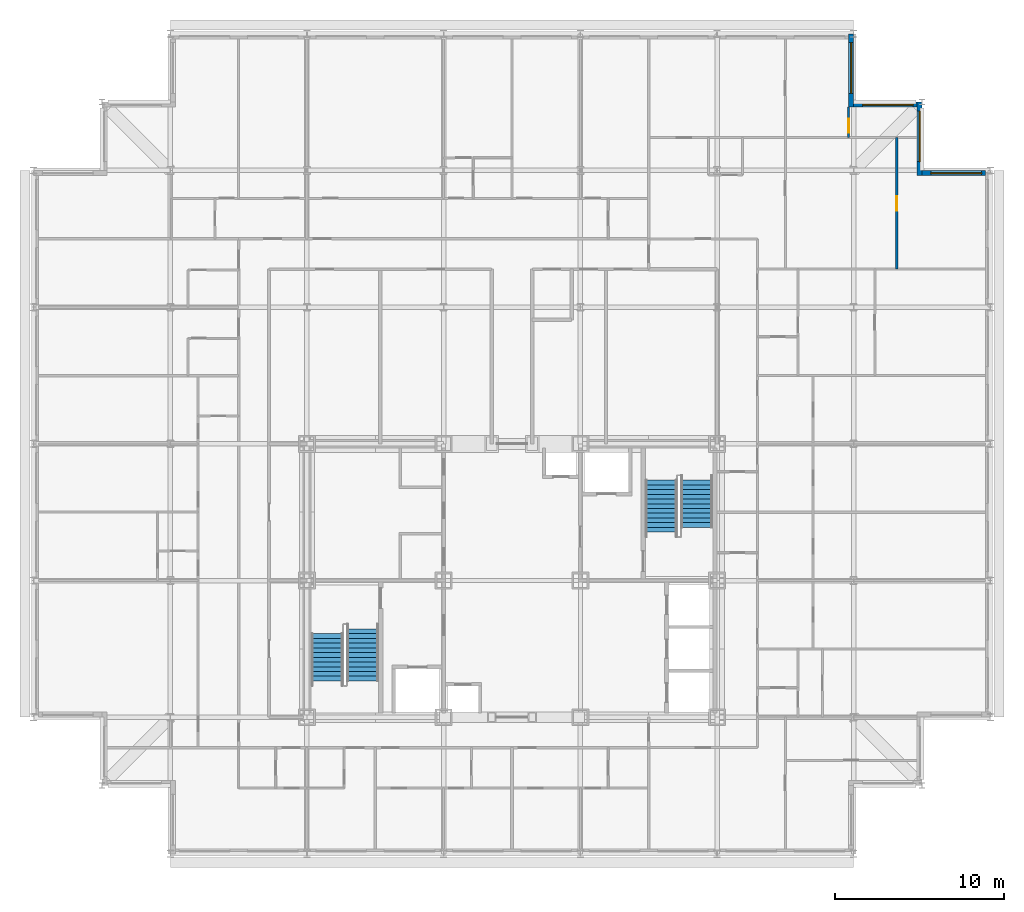
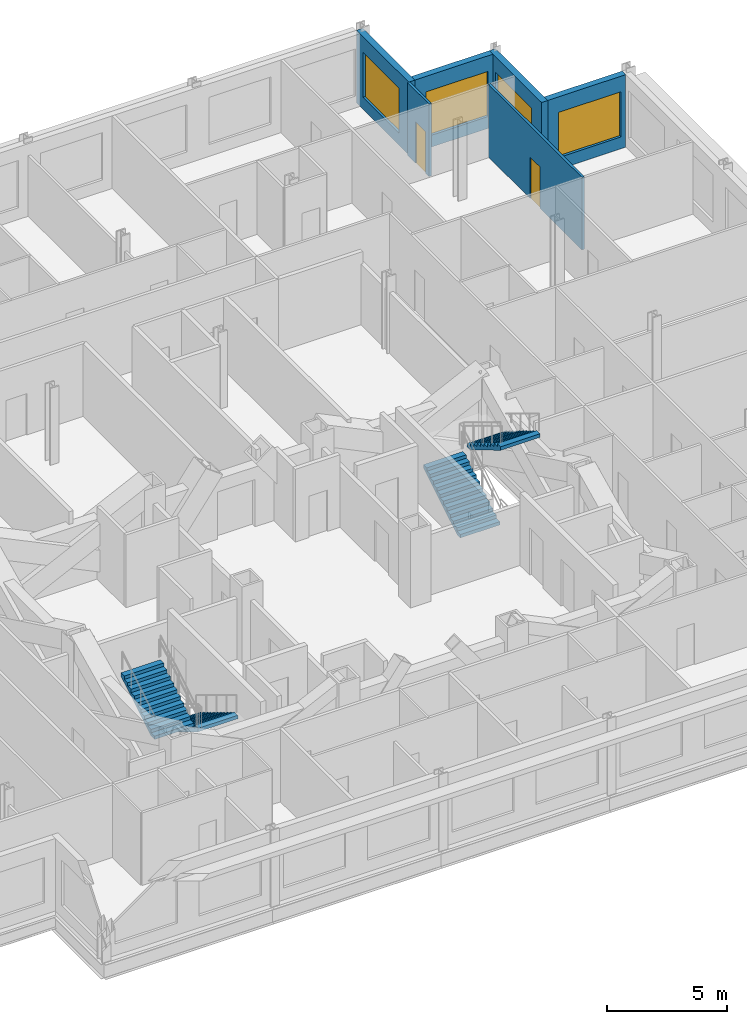
# One storey, part 14 of 15: 6 walls, 4 stair flights, 4 windows, 2 doors, 6 openings, 2 elements without a shape of their own.
"""IFC4 building model written with IfcOpenShell, lengths in metres."""

from ifc_helpers import new_model, si_unit, direction, frame, frame_2d, origin, place, context, subcontext, project, spatial, rectangle, extrude, polygons, source, transform, mapped, material, layer, layer_set, type_object, element, fill, aggregate, save


model = new_model("IFC4")

# Units and contexts
model_context = context("Model", 3, precision=1e-05, world=origin(), true_north=direction((0.0, 1.0)))
body_context = subcontext(model_context, "Body", "Model", "MODEL_VIEW")
ifc_project = project(units=[si_unit("LENGTHUNIT", "METRE"), si_unit("AREAUNIT", "SQUARE_METRE"), si_unit("VOLUMEUNIT", "CUBIC_METRE"), si_unit("PLANEANGLEUNIT", "RADIAN"), si_unit("MASSUNIT", "GRAM", prefix="KILO")], contexts=[model_context])

# Site, building, storey
site_placement = place(None, origin())
site = spatial("IfcSite", under=ifc_project, at=site_placement, CompositionType="ELEMENT")
building_placement = place(site_placement, origin())
building = spatial("IfcBuilding", under=site, at=building_placement, Name="Kopane Lantern Tower", CompositionType="ELEMENT")
storey_placement = place(building_placement, frame((0.0, 0.0, 246.300048828125)))
storey = spatial("IfcBuildingStorey", under=building, at=storey_placement, Name="L63", CompositionType="ELEMENT", Elevation=246.300048828125)

# Wall, opening, door
ifc_material_1 = material(Name="Gypsum board on steel studs", Category="steel")
ifc_layer_1 = layer(ifc_material_1, 0.1201171875)
ifc_layer_set_1 = layer_set([ifc_layer_1], Name="APARTMENT INTERNAL WALL 120")
wall_type_1 = type_object("IfcWallType", Name="APARTMENT INTERNAL WALL 120", PredefinedType="PARTITIONING", material=ifc_layer_set_1)
wall_1_placement = place(storey_placement, frame((48.300048828125, 58.64990234375, 0.0), z_axis=(0.0, 0.0, 1.0), x_axis=(0.0, 1.0, 0.0)))
wall_1 = element("IfcWall", 1, at=wall_1_placement, inside=storey, type_object=wall_type_1, Name="Apartment Internal Wall 120 L63", PredefinedType="PARTITIONING", context=body_context, shape_type="SweptSolid", body=[
    extrude(rectangle(XDim=1.800048828125, YDim=0.1201171875, at=frame_2d((0.89990234375, 0.0))), origin(), (0.0, 0.0, 1.0), 3.68994140625),
])
opening_1_placement = place(wall_1_placement, frame((0.27490234375, 0.0, 0.0)))
opening_1 = element("IfcOpeningElement", 2, at=opening_1_placement, cuts=wall_1, Name="Opening L63-064", PredefinedType="OPENING", context=body_context, shape_type="SweptSolid", body=[
    extrude(rectangle(XDim=0.85009765625, YDim=2.10009765625, at=frame_2d((0.425048828125, 1.050048828125))), frame((0.0, 0.070068359375, 0.0), z_axis=(0.0, -1.0, 0.0), x_axis=(1.0, 0.0, 0.0)), (0.0, 0.0, 1.0), 0.14013671875),
])
ifc_material_2 = material(Name="Timber door set", Category="wood")
door_type = type_object("IfcDoorType", Name="DOOR D4 850x2100", OperationType="SINGLE_SWING_LEFT", PredefinedType="DOOR", material=ifc_material_2)
door_1_placement = place(opening_1_placement, origin())
door_1 = element("IfcDoor", 3, at=door_1_placement, inside=storey, type_object=door_type, Name="Door L63-064", OperationType="SINGLE_SWING_RIGHT", OverallHeight=2.10009765625, OverallWidth=0.85009765625, PredefinedType="DOOR", context=body_context, shape_type="SweptSolid", body=[
    extrude(rectangle(XDim=0.85009765625, YDim=2.10009765625, at=frame_2d((0.425048828125, 1.050048828125))), frame((0.0, 0.02490234375, 0.0), z_axis=(0.0, -1.0, 0.0), x_axis=(1.0, 0.0, 0.0)), (0.0, 0.0, 1.0), 0.050048828125),
])
fill(opening_1, door_1)

wall_2_placement = place(storey_placement, frame((51.14990234375, 50.85009765625, 0.0), z_axis=(0.0, 0.0, 1.0), x_axis=(0.0, 1.0, 0.0)))
wall_2 = element("IfcWall", 4, at=wall_2_placement, inside=storey, type_object=wall_type_1, Name="Apartment Internal Wall 120 L63", PredefinedType="PARTITIONING", context=body_context, shape_type="SweptSolid", body=[
    extrude(rectangle(XDim=7.7998046875, YDim=0.1201171875, at=frame_2d((3.89990234375, 0.0))), origin(), (0.0, 0.0, 1.0), 3.68994140625),
])
opening_2_placement = place(wall_2_placement, frame((3.47509765625, 0.0, 0.0)))
opening_2 = element("IfcOpeningElement", 5, at=opening_2_placement, cuts=wall_2, Name="Opening L63-070", PredefinedType="OPENING", context=body_context, shape_type="SweptSolid", body=[
    extrude(rectangle(XDim=0.85009765625, YDim=2.10009765625, at=frame_2d((0.425048828125, 1.050048828125))), frame((0.0, 0.070068359375, 0.0), z_axis=(0.0, -1.0, 0.0), x_axis=(1.0, 0.0, 0.0)), (0.0, 0.0, 1.0), 0.14013671875),
])
door_2_placement = place(opening_2_placement, origin())
door_2 = element("IfcDoor", 6, at=door_2_placement, inside=storey, type_object=door_type, Name="Door L63-070", OperationType="SINGLE_SWING_RIGHT", OverallHeight=2.10009765625, OverallWidth=0.85009765625, PredefinedType="DOOR", context=body_context, shape_type="SweptSolid", body=[
    extrude(rectangle(XDim=0.85009765625, YDim=2.10009765625, at=frame_2d((0.425048828125, 1.050048828125))), frame((0.0, 0.02490234375, 0.0), z_axis=(0.0, -1.0, 0.0), x_axis=(1.0, 0.0, 0.0)), (0.0, 0.0, 1.0), 0.050048828125),
])
fill(opening_2, door_2)

# Wall, opening, window
ifc_material_3 = material(Name="Terracotta rainscreen on light steel framing", Category="masonry")
ifc_layer_2 = layer(ifc_material_3, 0.300048828125)
ifc_layer_set_2 = layer_set([ifc_layer_2], Name="EXTERNAL WALL EW1 300 TERRACOTTA")
wall_type_2 = type_object("IfcWallType", Name="EXTERNAL WALL EW1 300 TERRACOTTA", PredefinedType="SOLIDWALL", material=ifc_layer_set_2)
wall_3_placement = place(storey_placement, frame((56.39990234375, 56.550048828125, 0.0), z_axis=(0.0, 0.0, 1.0), x_axis=(-1.0, 0.0, 0.0)))
wall_3 = element("IfcWall", 7, at=wall_3_placement, inside=storey, type_object=wall_type_2, Name="External wall N L63", PredefinedType="SOLIDWALL", context=body_context, shape_type="SweptSolid", body=[
    extrude(rectangle(XDim=3.75, YDim=0.300048828125, at=frame_2d((1.875, 0.0))), origin(), (0.0, 0.0, 1.0), 3.68994140625),
])
opening_3_placement = place(wall_3_placement, frame((0.22509765625, 0.0, 0.60009765625)))
opening_3 = element("IfcOpeningElement", 8, at=opening_3_placement, cuts=wall_3, Name="Opening WR300230", PredefinedType="OPENING", context=body_context, shape_type="SweptSolid", body=[
    extrude(rectangle(XDim=3.0, YDim=2.300048828125, at=frame_2d((1.5, 1.14990234375))), frame((0.0, 0.159912109375, 0.0), z_axis=(0.0, -1.0, 0.0), x_axis=(1.0, 0.0, 0.0)), (0.0, 0.0, 1.0), 0.320068359375),
])
ifc_material_4 = material(Name="Aluminium and clear glass", Category="aluminium")
window_type = type_object("IfcWindowType", Name="RIBBON WINDOW WR300230 3000x2300", PartitioningType="SINGLE_PANEL", PredefinedType="WINDOW", material=ifc_material_4)
window_1_placement = place(opening_3_placement, origin())
window_1 = element("IfcWindow", 9, at=window_1_placement, inside=storey, type_object=window_type, Name="Window N L63", OverallHeight=2.300048828125, OverallWidth=3.0, PartitioningType="SINGLE_PANEL", PredefinedType="WINDOW", context=body_context, shape_type="SweptSolid", body=[
    extrude(rectangle(XDim=3.0, YDim=2.300048828125, at=frame_2d((1.5, 1.14990234375))), frame((0.0, 0.030029296875, 0.0), z_axis=(0.0, -1.0, 0.0), x_axis=(1.0, 0.0, 0.0)), (0.0, 0.0, 1.0), 0.06005859375),
])
fill(opening_3, window_1)

wall_4_placement = place(storey_placement, frame((52.5, 56.39990234375, 0.0), z_axis=(0.0, 0.0, 1.0), x_axis=(0.0, 1.0, 0.0)))
wall_4 = element("IfcWall", 10, at=wall_4_placement, inside=storey, type_object=wall_type_2, Name="External wall E L63", PredefinedType="SOLIDWALL", context=body_context, shape_type="SweptSolid", body=[
    extrude(rectangle(XDim=4.35009765625, YDim=0.300048828125, at=frame_2d((2.175048828125, 0.0))), origin(), (0.0, 0.0, 1.0), 3.68994140625),
])
opening_4_placement = place(wall_4_placement, frame((0.824951171875, 0.0, 0.60009765625)))
opening_4 = element("IfcOpeningElement", 11, at=opening_4_placement, cuts=wall_4, Name="Opening WR300230", PredefinedType="OPENING", context=body_context, shape_type="SweptSolid", body=[
    extrude(rectangle(XDim=3.0, YDim=2.300048828125, at=frame_2d((1.5, 1.14990234375))), frame((0.0, 0.159912109375, 0.0), z_axis=(0.0, -1.0, 0.0), x_axis=(1.0, 0.0, 0.0)), (0.0, 0.0, 1.0), 0.320068359375),
])
window_2_placement = place(opening_4_placement, origin())
window_2 = element("IfcWindow", 12, at=window_2_placement, inside=storey, type_object=window_type, Name="Window E L63", OverallHeight=2.300048828125, OverallWidth=3.0, PartitioningType="SINGLE_PANEL", PredefinedType="WINDOW", context=body_context, shape_type="SweptSolid", body=[
    extrude(rectangle(XDim=3.0, YDim=2.300048828125, at=frame_2d((1.5, 1.14990234375))), frame((0.0, 0.030029296875, 0.0), z_axis=(0.0, -1.0, 0.0), x_axis=(1.0, 0.0, 0.0)), (0.0, 0.0, 1.0), 0.06005859375),
])
fill(opening_4, window_2)

wall_5_placement = place(storey_placement, frame((52.35009765625, 60.60009765625, 0.0), z_axis=(0.0, 0.0, 1.0), x_axis=(-1.0, 0.0, 0.0)))
wall_5 = element("IfcWall", 13, at=wall_5_placement, inside=storey, type_object=wall_type_2, Name="External wall N L63", PredefinedType="SOLIDWALL", context=body_context, shape_type="SweptSolid", body=[
    extrude(rectangle(XDim=3.75, YDim=0.300048828125, at=frame_2d((1.875, 0.0))), origin(), (0.0, 0.0, 1.0), 3.68994140625),
])
opening_5_placement = place(wall_5_placement, frame((0.22509765625, 0.0, 0.60009765625)))
opening_5 = element("IfcOpeningElement", 14, at=opening_5_placement, cuts=wall_5, Name="Opening WR300230", PredefinedType="OPENING", context=body_context, shape_type="SweptSolid", body=[
    extrude(rectangle(XDim=3.0, YDim=2.300048828125, at=frame_2d((1.5, 1.14990234375))), frame((0.0, 0.159912109375, 0.0), z_axis=(0.0, -1.0, 0.0), x_axis=(1.0, 0.0, 0.0)), (0.0, 0.0, 1.0), 0.320068359375),
])
window_3_placement = place(opening_5_placement, origin())
window_3 = element("IfcWindow", 15, at=window_3_placement, inside=storey, type_object=window_type, Name="Window N L63", OverallHeight=2.300048828125, OverallWidth=3.0, PartitioningType="SINGLE_PANEL", PredefinedType="WINDOW", context=body_context, shape_type="SweptSolid", body=[
    extrude(rectangle(XDim=3.0, YDim=2.300048828125, at=frame_2d((1.5, 1.14990234375))), frame((0.0, 0.030029296875, 0.0), z_axis=(0.0, -1.0, 0.0), x_axis=(1.0, 0.0, 0.0)), (0.0, 0.0, 1.0), 0.06005859375),
])
fill(opening_5, window_3)

wall_6_placement = place(storey_placement, frame((48.449951171875, 60.449951171875, 0.0), z_axis=(0.0, 0.0, 1.0), x_axis=(0.0, 1.0, 0.0)))
wall_6 = element("IfcWall", 16, at=wall_6_placement, inside=storey, type_object=wall_type_2, Name="External wall E L63", PredefinedType="SOLIDWALL", context=body_context, shape_type="SweptSolid", body=[
    extrude(rectangle(XDim=4.35009765625, YDim=0.300048828125, at=frame_2d((2.175048828125, 0.0))), origin(), (0.0, 0.0, 1.0), 3.68994140625),
])
opening_6_placement = place(wall_6_placement, frame((0.824951171875, 0.0, 0.60009765625)))
opening_6 = element("IfcOpeningElement", 17, at=opening_6_placement, cuts=wall_6, Name="Opening WR300230", PredefinedType="OPENING", context=body_context, shape_type="SweptSolid", body=[
    extrude(rectangle(XDim=3.0, YDim=2.300048828125, at=frame_2d((1.5, 1.14990234375))), frame((0.0, 0.159912109375, 0.0), z_axis=(0.0, -1.0, 0.0), x_axis=(1.0, 0.0, 0.0)), (0.0, 0.0, 1.0), 0.320068359375),
])
window_4_placement = place(opening_6_placement, origin())
window_4 = element("IfcWindow", 18, at=window_4_placement, inside=storey, type_object=window_type, Name="Window E L63", OverallHeight=2.300048828125, OverallWidth=3.0, PartitioningType="SINGLE_PANEL", PredefinedType="WINDOW", context=body_context, shape_type="SweptSolid", body=[
    extrude(rectangle(XDim=3.0, YDim=2.300048828125, at=frame_2d((1.5, 1.14990234375))), frame((0.0, 0.030029296875, 0.0), z_axis=(0.0, -1.0, 0.0), x_axis=(1.0, 0.0, 0.0)), (0.0, 0.0, 1.0), 0.06005859375),
])
fill(opening_6, window_4)

# Stair, stair flight
ifc_material_5 = material(Name="Steel S355JR", Category="steel")
stair_type = type_object("IfcStairType", Name="EXIT STAIR 1900 HALF TURN", PredefinedType="HALF_TURN_STAIR", material=ifc_material_5)
stair_1_placement = place(storey_placement, origin())
stair_1 = element("IfcStair", 19, at=stair_1_placement, inside=storey, type_object=stair_type, Name="Exit stair ST1 L63", PredefinedType="HALF_TURN_STAIR")
ifc_material_6 = material(Name="Steel S355JR", Category="steel")
stair_flight_type = type_object("IfcStairFlightType", Name="STAIR FLIGHT 1900 STEEL", PredefinedType="STRAIGHT", material=ifc_material_6)
shared_shape_1 = source(origin(), body_context, "Body", "Tessellation", [
    polygons([(3.080078125, 0.949951172, 1.865234375), (2.800048828, 0.949951172, 1.865234375), (2.800048828, -0.949951172, 1.865234375), (3.080078125, -0.949951172, 1.865234375), (0.289306641, 0.949951172, 0.0), (3.080078125, 0.949951172, 1.689941406), (3.080078125, -0.949951172, 1.689941406), (0.289306641, -0.949951172, 0.0), (0.0, 0.949951172, 0.0), (0.0, -0.949951172, 0.0), (0.280029297, 0.949951172, 0.169677734), (0.0, 0.949951172, 0.169677734), (0.0, -0.949951172, 0.169677734), (0.280029297, -0.949951172, 0.169677734), (0.280029297, 0.949951172, 0.339111328), (0.280029297, -0.949951172, 0.339111328), (0.560058594, 0.949951172, 0.339111328), (0.560058594, -0.949951172, 0.339111328), (0.560058594, 0.949951172, 0.508789062), (0.560058594, -0.949951172, 0.508789062), (0.840087891, 0.949951172, 0.508789062), (0.840087891, -0.949951172, 0.508789062), (0.840087891, 0.949951172, 0.678222656), (0.840087891, -0.949951172, 0.678222656), (1.120117188, 0.949951172, 0.678222656), (1.120117188, -0.949951172, 0.678222656), (1.120117188, 0.949951172, 0.847900391), (1.120117188, -0.949951172, 0.847900391), (1.399902344, 0.949951172, 0.847900391), (1.399902344, -0.949951172, 0.847900391), (1.399902344, 0.949951172, 1.017333984), (1.399902344, -0.949951172, 1.017333984), (1.679931641, 0.949951172, 1.017333984), (1.679931641, -0.949951172, 1.017333984), (1.679931641, 0.949951172, 1.187011719), (1.679931641, -0.949951172, 1.187011719), (1.959960938, 0.949951172, 1.187011719), (1.959960938, -0.949951172, 1.187011719), (1.959960938, 0.949951172, 1.356445312), (1.959960938, -0.949951172, 1.356445312), (2.239990234, 0.949951172, 1.356445312), (2.239990234, -0.949951172, 1.356445312), (2.239990234, 0.949951172, 1.526123047), (2.239990234, -0.949951172, 1.526123047), (2.520019531, 0.949951172, 1.526123047), (2.520019531, -0.949951172, 1.526123047), (2.520019531, 0.949951172, 1.695556641), (2.520019531, -0.949951172, 1.695556641), (2.800048828, 0.949951172, 1.695556641), (2.800048828, -0.949951172, 1.695556641), (0.0, 0.0, 0.004585885), (0.0, 0.0, 0.009171769), (0.0, 0.0, 0.013757654), (0.0, 0.0, 0.018343539), (0.0, 0.0, 0.022929424), (0.0, 0.0, 0.027515308), (0.0, 0.0, 0.032101193), (0.0, 0.0, 0.036687078), (0.0, 0.0, 0.041272962), (0.0, 0.0, 0.045858847), (0.0, 0.0, 0.050444732), (0.0, 0.0, 0.055030617), (0.0, 0.0, 0.059616501), (0.0, 0.0, 0.064202386), (0.0, 0.0, 0.068788271), (0.0, 0.0, 0.073374155), (0.0, 0.0, 0.07796004), (0.0, 0.0, 0.082545925), (0.0, 0.0, 0.08713181), (0.0, 0.0, 0.091717694), (0.0, 0.0, 0.096303579), (0.0, 0.0, 0.100889464), (0.0, 0.0, 0.105475348), (0.0, 0.0, 0.110061233), (0.0, 0.0, 0.114647118), (0.0, 0.0, 0.119233003), (0.0, 0.0, 0.123818887), (0.0, 0.0, 0.128404772), (0.0, 0.0, 0.132990657), (0.0, 0.0, 0.137576541), (0.0, 0.0, 0.142162426), (0.0, 0.0, 0.146748311), (0.0, 0.0, 0.151334196), (0.0, 0.0, 0.15592008), (0.0, 0.0, 0.160505965), (0.0, 0.0, 0.16509185), (3.080078125, 0.0, 1.694679054), (3.080078125, 0.0, 1.699416702), (3.080078125, 0.0, 1.70415435), (3.080078125, 0.0, 1.708891997), (3.080078125, 0.0, 1.713629645), (3.080078125, 0.0, 1.718367293), (3.080078125, 0.0, 1.723104941), (3.080078125, 0.0, 1.727842589), (3.080078125, 0.0, 1.732580236), (3.080078125, 0.0, 1.737317884), (3.080078125, 0.0, 1.742055532), (3.080078125, 0.0, 1.74679318), (3.080078125, 0.0, 1.751530828), (3.080078125, 0.0, 1.756268476), (3.080078125, 0.0, 1.761006123), (3.080078125, 0.0, 1.765743771), (3.080078125, 0.0, 1.770481419), (3.080078125, 0.0, 1.775219067), (3.080078125, 0.0, 1.779956715), (3.080078125, 0.0, 1.784694362), (3.080078125, 0.0, 1.78943201), (3.080078125, 0.0, 1.794169658), (3.080078125, 0.0, 1.798907306), (3.080078125, 0.0, 1.803644954), (3.080078125, 0.0, 1.808382601), (3.080078125, 0.0, 1.813120249), (3.080078125, 0.0, 1.817857897), (3.080078125, 0.0, 1.822595545), (3.080078125, 0.0, 1.827333193), (3.080078125, 0.0, 1.83207084), (3.080078125, 0.0, 1.836808488), (3.080078125, 0.0, 1.841546136), (3.080078125, 0.0, 1.846283784), (3.080078125, 0.0, 1.851021432), (3.080078125, 0.0, 1.855759079), (3.080078125, 0.0, 1.860496727)], [[[1, 2, 3]], [[1, 3, 4]], [[5, 6, 7]], [[5, 7, 8]], [[9, 5, 8]], [[9, 8, 10]], [[11, 12, 13]], [[11, 13, 14]], [[15, 11, 14]], [[15, 14, 16]], [[17, 15, 16]], [[17, 16, 18]], [[19, 17, 18]], [[19, 18, 20]], [[21, 19, 20]], [[21, 20, 22]], [[23, 21, 22]], [[23, 22, 24]], [[25, 23, 24]], [[25, 24, 26]], [[27, 25, 26]], [[27, 26, 28]], [[29, 27, 28]], [[29, 28, 30]], [[31, 29, 30]], [[31, 30, 32]], [[33, 31, 32]], [[33, 32, 34]], [[35, 33, 34]], [[35, 34, 36]], [[37, 35, 36]], [[37, 36, 38]], [[39, 37, 38]], [[39, 38, 40]], [[41, 39, 40]], [[41, 40, 42]], [[43, 41, 42]], [[43, 42, 44]], [[45, 43, 44]], [[45, 44, 46]], [[47, 45, 46]], [[47, 46, 48]], [[49, 47, 48]], [[49, 48, 50]], [[2, 49, 50]], [[2, 50, 3]], [[49, 1, 6]], [[45, 49, 6]], [[2, 1, 49]], [[41, 45, 6]], [[47, 49, 45]], [[37, 41, 6]], [[43, 45, 41]], [[39, 41, 37]], [[35, 37, 33]], [[31, 33, 29]], [[5, 21, 25]], [[27, 29, 25]], [[17, 21, 5]], [[23, 25, 21]], [[11, 17, 5]], [[19, 21, 17]], [[9, 11, 5]], [[15, 17, 11]], [[12, 11, 9]], [[6, 5, 25]], [[6, 25, 29]], [[6, 29, 33]], [[6, 33, 37]], [[7, 4, 50]], [[7, 50, 46]], [[50, 4, 3]], [[7, 46, 42]], [[46, 50, 48]], [[7, 42, 38]], [[42, 46, 44]], [[38, 42, 40]], [[34, 38, 36]], [[30, 34, 32]], [[26, 22, 8]], [[26, 30, 28]], [[8, 22, 18]], [[22, 26, 24]], [[8, 18, 14]], [[18, 22, 20]], [[8, 14, 10]], [[14, 18, 16]], [[10, 14, 13]], [[26, 8, 7]], [[30, 26, 7]], [[34, 30, 7]], [[38, 34, 7]], [[10, 51, 9]], [[10, 52, 51]], [[9, 51, 52]], [[10, 53, 52]], [[9, 52, 53]], [[10, 54, 53]], [[9, 53, 54]], [[10, 55, 54]], [[9, 54, 55]], [[10, 56, 55]], [[9, 55, 56]], [[10, 57, 56]], [[9, 56, 57]], [[10, 58, 57]], [[9, 57, 58]], [[10, 59, 58]], [[9, 58, 59]], [[10, 60, 59]], [[9, 59, 60]], [[10, 61, 60]], [[9, 60, 61]], [[10, 62, 61]], [[9, 61, 62]], [[10, 63, 62]], [[9, 62, 63]], [[10, 64, 63]], [[9, 63, 64]], [[10, 65, 64]], [[9, 64, 65]], [[10, 66, 65]], [[9, 65, 66]], [[10, 67, 66]], [[9, 66, 67]], [[10, 68, 67]], [[9, 67, 68]], [[10, 69, 68]], [[9, 68, 69]], [[10, 70, 69]], [[9, 69, 70]], [[10, 71, 70]], [[9, 70, 71]], [[10, 72, 71]], [[9, 71, 72]], [[10, 73, 72]], [[9, 72, 73]], [[10, 74, 73]], [[9, 73, 74]], [[10, 75, 74]], [[9, 74, 75]], [[10, 76, 75]], [[9, 75, 76]], [[10, 77, 76]], [[9, 76, 77]], [[10, 78, 77]], [[9, 77, 78]], [[10, 79, 78]], [[9, 78, 79]], [[10, 80, 79]], [[9, 79, 80]], [[10, 81, 80]], [[9, 80, 81]], [[10, 82, 81]], [[9, 81, 82]], [[10, 83, 82]], [[9, 82, 83]], [[10, 84, 83]], [[9, 83, 84]], [[10, 85, 84]], [[9, 84, 85]], [[10, 86, 85]], [[9, 85, 86]], [[10, 13, 86]], [[86, 13, 12]], [[9, 86, 12]], [[7, 6, 87]], [[7, 87, 88]], [[6, 88, 87]], [[7, 88, 89]], [[6, 89, 88]], [[7, 89, 90]], [[6, 90, 89]], [[7, 90, 91]], [[6, 91, 90]], [[7, 91, 92]], [[6, 92, 91]], [[7, 92, 93]], [[6, 93, 92]], [[7, 93, 94]], [[6, 94, 93]], [[7, 94, 95]], [[6, 95, 94]], [[7, 95, 96]], [[6, 96, 95]], [[7, 96, 97]], [[6, 97, 96]], [[7, 97, 98]], [[6, 98, 97]], [[7, 98, 99]], [[6, 99, 98]], [[7, 99, 100]], [[6, 100, 99]], [[7, 100, 101]], [[6, 101, 100]], [[7, 101, 102]], [[6, 102, 101]], [[7, 102, 103]], [[6, 103, 102]], [[7, 103, 104]], [[6, 104, 103]], [[7, 104, 105]], [[6, 105, 104]], [[7, 105, 106]], [[6, 106, 105]], [[7, 106, 107]], [[6, 107, 106]], [[7, 107, 108]], [[6, 108, 107]], [[7, 108, 109]], [[6, 109, 108]], [[7, 109, 110]], [[6, 110, 109]], [[7, 110, 111]], [[6, 111, 110]], [[7, 111, 112]], [[6, 112, 111]], [[7, 112, 113]], [[6, 113, 112]], [[7, 113, 114]], [[6, 114, 113]], [[7, 114, 115]], [[6, 115, 114]], [[7, 115, 116]], [[6, 116, 115]], [[7, 116, 117]], [[6, 117, 116]], [[7, 117, 118]], [[6, 118, 117]], [[7, 118, 119]], [[6, 119, 118]], [[7, 119, 120]], [[6, 120, 119]], [[7, 120, 121]], [[6, 121, 120]], [[7, 121, 122]], [[6, 122, 121]], [[7, 122, 4]], [[122, 1, 4]], [[6, 1, 122]]], closed=True),
])
stair_flight_1_placement = place(storey_placement, frame((19.5, 29.530029296875, 0.0), z_axis=(0.0, 0.0, 1.0), x_axis=(0.0, -1.0, 0.0)))
stair_flight_1 = element("IfcStairFlight", 20, at=stair_flight_1_placement, type_object=stair_flight_type, Name="ST1 flight 1", NumberOfRisers=12, NumberOfTreads=11, PredefinedType="STRAIGHT", RiserHeight=0.169565217, TreadLength=0.28, context=body_context, shape_type="MappedRepresentation", body=[
    mapped(shared_shape_1, transform((0.0, 0.0, 0.0))),
])

stair_2_placement = place(storey_placement, origin())
stair_2 = element("IfcStair", 21, at=stair_2_placement, inside=storey, type_object=stair_type, Name="Exit stair ST2 L63", PredefinedType="HALF_TURN_STAIR")
stair_flight_2_placement = place(storey_placement, frame((37.199951171875, 35.27001953125, 0.0), z_axis=(0.0, 0.0, 1.0), x_axis=(0.0, 1.0, 0.0)))
stair_flight_2 = element("IfcStairFlight", 22, at=stair_flight_2_placement, type_object=stair_flight_type, Name="ST2 flight 1", NumberOfRisers=12, NumberOfTreads=11, PredefinedType="STRAIGHT", RiserHeight=0.169565217, TreadLength=0.28, context=body_context, shape_type="MappedRepresentation", body=[
    mapped(shared_shape_1, transform((0.0, 0.0, 0.0))),
])

# Stair flight
shared_shape_2 = source(origin(), body_context, "Body", "Tessellation", [
    polygons([(2.800048828, 0.949951172, 1.695556641), (2.520019531, 0.949951172, 1.695556641), (2.520019531, -0.949951172, 1.695556641), (2.800048828, -0.949951172, 1.695556641), (0.289306641, 0.949951172, 0.0), (2.800048828, 0.949951172, 1.520507812), (2.800048828, -0.949951172, 1.520507812), (0.289306641, -0.949951172, 0.0), (0.0, 0.949951172, 0.0), (0.0, -0.949951172, 0.0), (0.280029297, 0.949951172, 0.169677734), (0.0, 0.949951172, 0.169677734), (0.0, -0.949951172, 0.169677734), (0.280029297, -0.949951172, 0.169677734), (0.280029297, 0.949951172, 0.339111328), (0.280029297, -0.949951172, 0.339111328), (0.560058594, 0.949951172, 0.339111328), (0.560058594, -0.949951172, 0.339111328), (0.560058594, 0.949951172, 0.508789062), (0.560058594, -0.949951172, 0.508789062), (0.840087891, 0.949951172, 0.508789062), (0.840087891, -0.949951172, 0.508789062), (0.840087891, 0.949951172, 0.678222656), (0.840087891, -0.949951172, 0.678222656), (1.120117188, 0.949951172, 0.678222656), (1.120117188, -0.949951172, 0.678222656), (1.120117188, 0.949951172, 0.847900391), (1.120117188, -0.949951172, 0.847900391), (1.399902344, 0.949951172, 0.847900391), (1.399902344, -0.949951172, 0.847900391), (1.399902344, 0.949951172, 1.017333984), (1.399902344, -0.949951172, 1.017333984), (1.679931641, 0.949951172, 1.017333984), (1.679931641, -0.949951172, 1.017333984), (1.679931641, 0.949951172, 1.187011719), (1.679931641, -0.949951172, 1.187011719), (1.959960938, 0.949951172, 1.187011719), (1.959960938, -0.949951172, 1.187011719), (1.959960938, 0.949951172, 1.356445312), (1.959960938, -0.949951172, 1.356445312), (2.239990234, 0.949951172, 1.356445312), (2.239990234, -0.949951172, 1.356445312), (2.239990234, 0.949951172, 1.526123047), (2.239990234, -0.949951172, 1.526123047), (2.520019531, 0.949951172, 1.526123047), (2.520019531, -0.949951172, 1.526123047), (0.0, 0.0, 0.004585885), (0.0, 0.0, 0.009171769), (0.0, 0.0, 0.013757654), (0.0, 0.0, 0.018343539), (0.0, 0.0, 0.022929424), (0.0, 0.0, 0.027515308), (0.0, 0.0, 0.032101193), (0.0, 0.0, 0.036687078), (0.0, 0.0, 0.041272962), (0.0, 0.0, 0.045858847), (0.0, 0.0, 0.050444732), (0.0, 0.0, 0.055030617), (0.0, 0.0, 0.059616501), (0.0, 0.0, 0.064202386), (0.0, 0.0, 0.068788271), (0.0, 0.0, 0.073374155), (0.0, 0.0, 0.07796004), (0.0, 0.0, 0.082545925), (0.0, 0.0, 0.08713181), (0.0, 0.0, 0.091717694), (0.0, 0.0, 0.096303579), (0.0, 0.0, 0.100889464), (0.0, 0.0, 0.105475348), (0.0, 0.0, 0.110061233), (0.0, 0.0, 0.114647118), (0.0, 0.0, 0.119233003), (0.0, 0.0, 0.123818887), (0.0, 0.0, 0.128404772), (0.0, 0.0, 0.132990657), (0.0, 0.0, 0.137576541), (0.0, 0.0, 0.142162426), (0.0, 0.0, 0.146748311), (0.0, 0.0, 0.151334196), (0.0, 0.0, 0.15592008), (0.0, 0.0, 0.160505965), (0.0, 0.0, 0.16509185), (2.800048828, 0.0, 1.525238862), (2.800048828, 0.0, 1.529969911), (2.800048828, 0.0, 1.534700961), (2.800048828, 0.0, 1.53943201), (2.800048828, 0.0, 1.54416306), (2.800048828, 0.0, 1.548894109), (2.800048828, 0.0, 1.553625158), (2.800048828, 0.0, 1.558356208), (2.800048828, 0.0, 1.563087257), (2.800048828, 0.0, 1.567818307), (2.800048828, 0.0, 1.572549356), (2.800048828, 0.0, 1.577280405), (2.800048828, 0.0, 1.582011455), (2.800048828, 0.0, 1.586742504), (2.800048828, 0.0, 1.591473554), (2.800048828, 0.0, 1.596204603), (2.800048828, 0.0, 1.600935652), (2.800048828, 0.0, 1.605666702), (2.800048828, 0.0, 1.610397751), (2.800048828, 0.0, 1.615128801), (2.800048828, 0.0, 1.61985985), (2.800048828, 0.0, 1.624590899), (2.800048828, 0.0, 1.629321949), (2.800048828, 0.0, 1.634052998), (2.800048828, 0.0, 1.638784048), (2.800048828, 0.0, 1.643515097), (2.800048828, 0.0, 1.648246147), (2.800048828, 0.0, 1.652977196), (2.800048828, 0.0, 1.657708245), (2.800048828, 0.0, 1.662439295), (2.800048828, 0.0, 1.667170344), (2.800048828, 0.0, 1.671901394), (2.800048828, 0.0, 1.676632443), (2.800048828, 0.0, 1.681363492), (2.800048828, 0.0, 1.686094542), (2.800048828, 0.0, 1.690825591)], [[[1, 2, 3]], [[1, 3, 4]], [[5, 6, 7]], [[5, 7, 8]], [[9, 5, 8]], [[9, 8, 10]], [[11, 12, 13]], [[11, 13, 14]], [[15, 11, 14]], [[15, 14, 16]], [[17, 15, 16]], [[17, 16, 18]], [[19, 17, 18]], [[19, 18, 20]], [[21, 19, 20]], [[21, 20, 22]], [[23, 21, 22]], [[23, 22, 24]], [[25, 23, 24]], [[25, 24, 26]], [[27, 25, 26]], [[27, 26, 28]], [[29, 27, 28]], [[29, 28, 30]], [[31, 29, 30]], [[31, 30, 32]], [[33, 31, 32]], [[33, 32, 34]], [[35, 33, 34]], [[35, 34, 36]], [[37, 35, 36]], [[37, 36, 38]], [[39, 37, 38]], [[39, 38, 40]], [[41, 39, 40]], [[41, 40, 42]], [[43, 41, 42]], [[43, 42, 44]], [[45, 43, 44]], [[45, 44, 46]], [[2, 45, 46]], [[2, 46, 3]], [[45, 1, 6]], [[41, 45, 6]], [[2, 1, 45]], [[37, 41, 6]], [[43, 45, 41]], [[39, 41, 37]], [[35, 37, 33]], [[31, 33, 29]], [[5, 21, 25]], [[27, 29, 25]], [[17, 21, 5]], [[23, 25, 21]], [[11, 17, 5]], [[19, 21, 17]], [[9, 11, 5]], [[15, 17, 11]], [[12, 11, 9]], [[6, 5, 25]], [[6, 25, 29]], [[6, 29, 33]], [[6, 33, 37]], [[7, 4, 46]], [[7, 46, 42]], [[46, 4, 3]], [[7, 42, 38]], [[42, 46, 44]], [[38, 42, 40]], [[34, 38, 36]], [[30, 34, 32]], [[26, 22, 8]], [[26, 30, 28]], [[8, 22, 18]], [[22, 26, 24]], [[8, 18, 14]], [[18, 22, 20]], [[8, 14, 10]], [[14, 18, 16]], [[10, 14, 13]], [[26, 8, 7]], [[30, 26, 7]], [[34, 30, 7]], [[38, 34, 7]], [[10, 47, 9]], [[10, 48, 47]], [[9, 47, 48]], [[10, 49, 48]], [[9, 48, 49]], [[10, 50, 49]], [[9, 49, 50]], [[10, 51, 50]], [[9, 50, 51]], [[10, 52, 51]], [[9, 51, 52]], [[10, 53, 52]], [[9, 52, 53]], [[10, 54, 53]], [[9, 53, 54]], [[10, 55, 54]], [[9, 54, 55]], [[10, 56, 55]], [[9, 55, 56]], [[10, 57, 56]], [[9, 56, 57]], [[10, 58, 57]], [[9, 57, 58]], [[10, 59, 58]], [[9, 58, 59]], [[10, 60, 59]], [[9, 59, 60]], [[10, 61, 60]], [[9, 60, 61]], [[10, 62, 61]], [[9, 61, 62]], [[10, 63, 62]], [[9, 62, 63]], [[10, 64, 63]], [[9, 63, 64]], [[10, 65, 64]], [[9, 64, 65]], [[10, 66, 65]], [[9, 65, 66]], [[10, 67, 66]], [[9, 66, 67]], [[10, 68, 67]], [[9, 67, 68]], [[10, 69, 68]], [[9, 68, 69]], [[10, 70, 69]], [[9, 69, 70]], [[10, 71, 70]], [[9, 70, 71]], [[10, 72, 71]], [[9, 71, 72]], [[10, 73, 72]], [[9, 72, 73]], [[10, 74, 73]], [[9, 73, 74]], [[10, 75, 74]], [[9, 74, 75]], [[10, 76, 75]], [[9, 75, 76]], [[10, 77, 76]], [[9, 76, 77]], [[10, 78, 77]], [[9, 77, 78]], [[10, 79, 78]], [[9, 78, 79]], [[10, 80, 79]], [[9, 79, 80]], [[10, 81, 80]], [[9, 80, 81]], [[10, 82, 81]], [[9, 81, 82]], [[10, 13, 82]], [[82, 13, 12]], [[9, 82, 12]], [[7, 6, 83]], [[7, 83, 84]], [[6, 84, 83]], [[7, 84, 85]], [[6, 85, 84]], [[7, 85, 86]], [[6, 86, 85]], [[7, 86, 87]], [[6, 87, 86]], [[7, 87, 88]], [[6, 88, 87]], [[7, 88, 89]], [[6, 89, 88]], [[7, 89, 90]], [[6, 90, 89]], [[7, 90, 91]], [[6, 91, 90]], [[7, 91, 92]], [[6, 92, 91]], [[7, 92, 93]], [[6, 93, 92]], [[7, 93, 94]], [[6, 94, 93]], [[7, 94, 95]], [[6, 95, 94]], [[7, 95, 96]], [[6, 96, 95]], [[7, 96, 97]], [[6, 97, 96]], [[7, 97, 98]], [[6, 98, 97]], [[7, 98, 99]], [[6, 99, 98]], [[7, 99, 100]], [[6, 100, 99]], [[7, 100, 101]], [[6, 101, 100]], [[7, 101, 102]], [[6, 102, 101]], [[7, 102, 103]], [[6, 103, 102]], [[7, 103, 104]], [[6, 104, 103]], [[7, 104, 105]], [[6, 105, 104]], [[7, 105, 106]], [[6, 106, 105]], [[7, 106, 107]], [[6, 107, 106]], [[7, 107, 108]], [[6, 108, 107]], [[7, 108, 109]], [[6, 109, 108]], [[7, 109, 110]], [[6, 110, 109]], [[7, 110, 111]], [[6, 111, 110]], [[7, 111, 112]], [[6, 112, 111]], [[7, 112, 113]], [[6, 113, 112]], [[7, 113, 114]], [[6, 114, 113]], [[7, 114, 115]], [[6, 115, 114]], [[7, 115, 116]], [[6, 116, 115]], [[7, 116, 117]], [[6, 117, 116]], [[7, 117, 118]], [[6, 118, 117]], [[7, 118, 4]], [[118, 1, 4]], [[6, 1, 118]]], closed=True),
])
stair_flight_3_placement = place(storey_placement, frame((17.39990234375, 26.449951171875, 2.03466796875), z_axis=(0.0, 0.0, 1.0), x_axis=(0.0, 1.0, 0.0)))
stair_flight_3 = element("IfcStairFlight", 23, at=stair_flight_3_placement, type_object=stair_flight_type, Name="ST1 flight 2", NumberOfRisers=11, NumberOfTreads=10, PredefinedType="STRAIGHT", RiserHeight=0.169565217, TreadLength=0.28, context=body_context, shape_type="MappedRepresentation", body=[
    mapped(shared_shape_2, transform((0.0, 0.0, 0.0))),
])

aggregate(stair_1, [stair_flight_1, stair_flight_3])

stair_flight_4_placement = place(storey_placement, frame((39.300048828125, 38.35009765625, 2.03466796875), z_axis=(0.0, 0.0, 1.0), x_axis=(0.0, -1.0, 0.0)))
stair_flight_4 = element("IfcStairFlight", 24, at=stair_flight_4_placement, type_object=stair_flight_type, Name="ST2 flight 2", NumberOfRisers=11, NumberOfTreads=10, PredefinedType="STRAIGHT", RiserHeight=0.169565217, TreadLength=0.28, context=body_context, shape_type="MappedRepresentation", body=[
    mapped(shared_shape_2, transform((0.0, 0.0, 0.0))),
])

aggregate(stair_2, [stair_flight_2, stair_flight_4])

save(model, "model.ifc")
